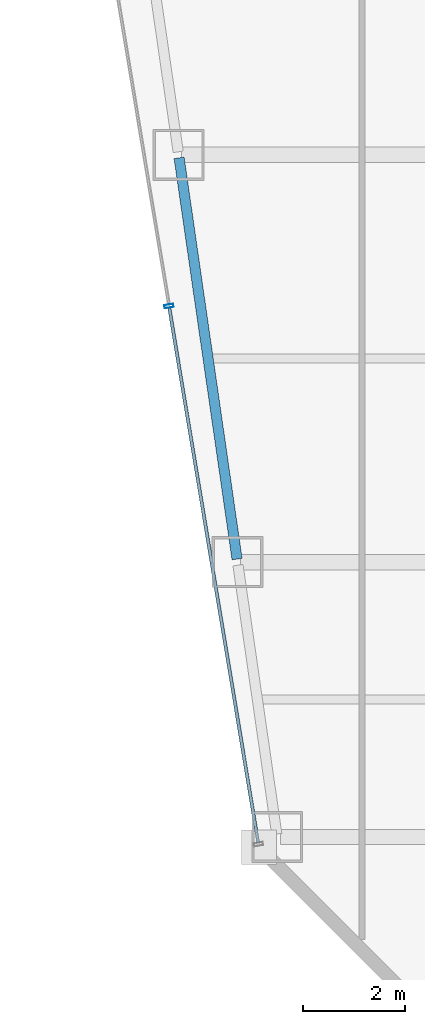
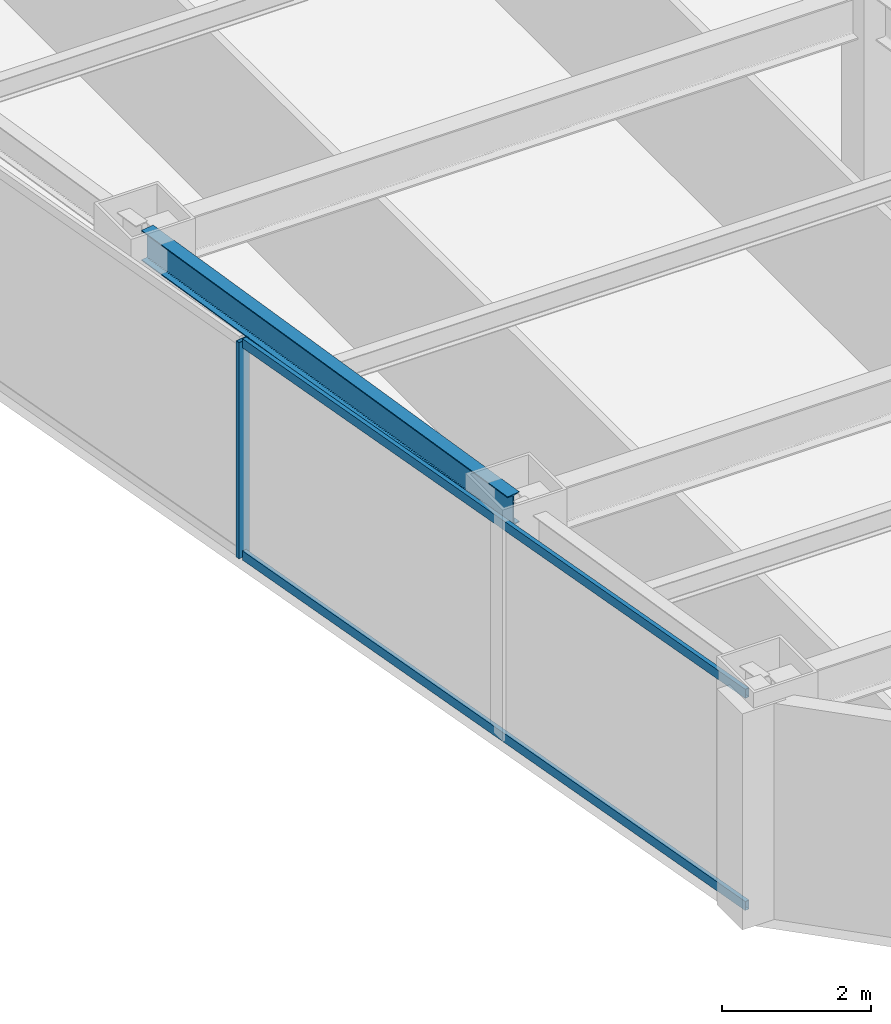
# One storey, part 3 of 37: 3 members, 1 beam, 1 element without a shape of its own.
"""IFC4 building model written with IfcOpenShell, lengths in metres."""

from ifc_helpers import new_model, si_unit, direction, frame, origin, origin_2d, place, context, subcontext, project, spatial, hollow_rectangle, i_section, extrude, material, material_profile, profile_set, type_object, element, aggregate, save


model = new_model("IFC4")

# Units and contexts
model_context = context("Model", 3, precision=1e-05, world=origin(), true_north=direction((0.0, 1.0)))
body_context = subcontext(model_context, "Body", "Model", "MODEL_VIEW")
ifc_project = project(units=[si_unit("LENGTHUNIT", "METRE"), si_unit("AREAUNIT", "SQUARE_METRE"), si_unit("VOLUMEUNIT", "CUBIC_METRE"), si_unit("PLANEANGLEUNIT", "RADIAN"), si_unit("MASSUNIT", "GRAM", prefix="KILO")], contexts=[model_context])

# Site, building, storey
site_placement = place(None, origin())
site = spatial("IfcSite", under=ifc_project, at=site_placement, CompositionType="ELEMENT")
building_placement = place(site_placement, origin())
building = spatial("IfcBuilding", under=site, at=building_placement, Name="Saevonmaru Cultural Tower", CompositionType="ELEMENT")
storey_placement = place(building_placement, frame((0.0, 0.0, 160.0)))
storey = spatial("IfcBuildingStorey", under=building, at=storey_placement, Name="L35", CompositionType="ELEMENT", Elevation=160.0)

# Beam
ifc_material_1 = material(Name="Steel SM355", Category="steel")
ifc_material_profile_1 = material_profile(ifc_material_1, i_section(OverallWidth=0.199951171875, OverallDepth=0.5, WebThickness=0.010009765625, FlangeThickness=0.01611328125, FilletRadius=0.02001953125, at=origin_2d()), Name="H-500x200x10x16")
ifc_profile_set_1 = profile_set([ifc_material_profile_1], Name="Steel SM355")
beam_type = type_object("IfcBeamType", Name="BM-SP-H500", PredefinedType="SPANDREL", material=ifc_profile_set_1)
beam_placement = place(storey_placement, frame((10.619384765625, 16.059326171875, 3.300048828125), z_axis=(-0.142992129437, 0.989723825579, 0.0), x_axis=(-0.989723825579, -0.142992129437, 0.0)))
element("IfcBeam", 1, at=beam_placement, inside=storey, type_object=beam_type, Name="L35 West Splayed Spandrel 2", PredefinedType="SPANDREL", context=body_context, shape_type="SweptSolid", body=[
    extrude(i_section(OverallWidth=0.199951171875, OverallDepth=0.5, WebThickness=0.010009765625, FlangeThickness=0.01611328125, FilletRadius=0.02001953125, at=origin_2d()), origin(), (0.0, 0.0, 1.0), 7.963134765625),
])

# Curtain wall, members
ifc_material_2 = material(Name="Satin Bronze Anodised Aluminium", Category="aluminium")
curtain_wall_type = type_object("IfcCurtainWallType", Name="CW-TYP-A", PredefinedType="NOTDEFINED", material=ifc_material_2)
curtain_wall_placement = place(storey_placement, origin())
curtain_wall = element("IfcCurtainWall", 2, at=curtain_wall_placement, inside=storey, type_object=curtain_wall_type, Name="L35 Unitised Curtain Wall E12", PredefinedType="NOTDEFINED")
ifc_material_profile_2 = material_profile(ifc_material_2, hollow_rectangle(XDim=0.06494140625, YDim=0.179931640625, WallThickness=0.00390625, at=origin_2d()), Name="ALU-MULL-180x65x4")
ifc_profile_set_2 = profile_set([ifc_material_profile_2], Name="Satin Bronze Anodised Aluminium")
member_type_1 = type_object("IfcMemberType", Name="ML-CW-180x65", PredefinedType="MULLION", material=ifc_profile_set_2)
member_1_placement = place(storey_placement, frame((9.28173828125, 21.029541015625, 0.0), z_axis=(0.0, 0.0, 1.0), x_axis=(0.163998702345, -0.986460554523, 0.0)))
member_1 = element("IfcMember", 3, at=member_1_placement, type_object=member_type_1, Name="CW-TW-L35-E12 mullion 4", PredefinedType="MULLION", context=body_context, shape_type="SweptSolid", body=[
    extrude(hollow_rectangle(XDim=0.06494140625, YDim=0.179931640625, WallThickness=0.00390625, at=origin_2d()), origin(), (0.0, 0.0, 1.0), 3.550048828125),
])
ifc_material_profile_3 = material_profile(ifc_material_2, hollow_rectangle(XDim=0.06494140625, YDim=0.14990234375, WallThickness=0.00390625, at=origin_2d()), Name="ALU-TRAN-150x65x4")
ifc_profile_set_3 = profile_set([ifc_material_profile_3], Name="Satin Bronze Anodised Aluminium")
member_type_2 = type_object("IfcMemberType", Name="TR-CW-150x65", PredefinedType="USERDEFINED", material=ifc_profile_set_3)
member_2_placement = place(storey_placement, frame((9.287109375, 20.99755859375, 0.032470703125), z_axis=(0.163990079074, -0.9864619881, 0.0), x_axis=(0.9864619881, 0.163990079074, 0.0)))
member_2 = element("IfcMember", 4, at=member_2_placement, type_object=member_type_2, Name="CW-TW-L35-E12 transom 4.1", ObjectType="TRANSOM", PredefinedType="USERDEFINED", context=body_context, shape_type="SweptSolid", body=[
    extrude(hollow_rectangle(XDim=0.06494140625, YDim=0.14990234375, WallThickness=0.00390625, at=origin_2d()), origin(), (0.0, 0.0, 1.0), 10.650634765625),
])
member_3_placement = place(storey_placement, frame((9.287109375, 20.99755859375, 3.517578125), z_axis=(0.163990079074, -0.9864619881, 0.0), x_axis=(0.9864619881, 0.163990079074, 0.0)))
member_3 = element("IfcMember", 5, at=member_3_placement, type_object=member_type_2, Name="CW-TW-L35-E12 transom 4.2", ObjectType="TRANSOM", PredefinedType="USERDEFINED", context=body_context, shape_type="SweptSolid", body=[
    extrude(hollow_rectangle(XDim=0.06494140625, YDim=0.14990234375, WallThickness=0.00390625, at=origin_2d()), origin(), (0.0, 0.0, 1.0), 10.650634765625),
])
aggregate(curtain_wall, [member_1, member_2, member_3])

save(model, "model.ifc")
